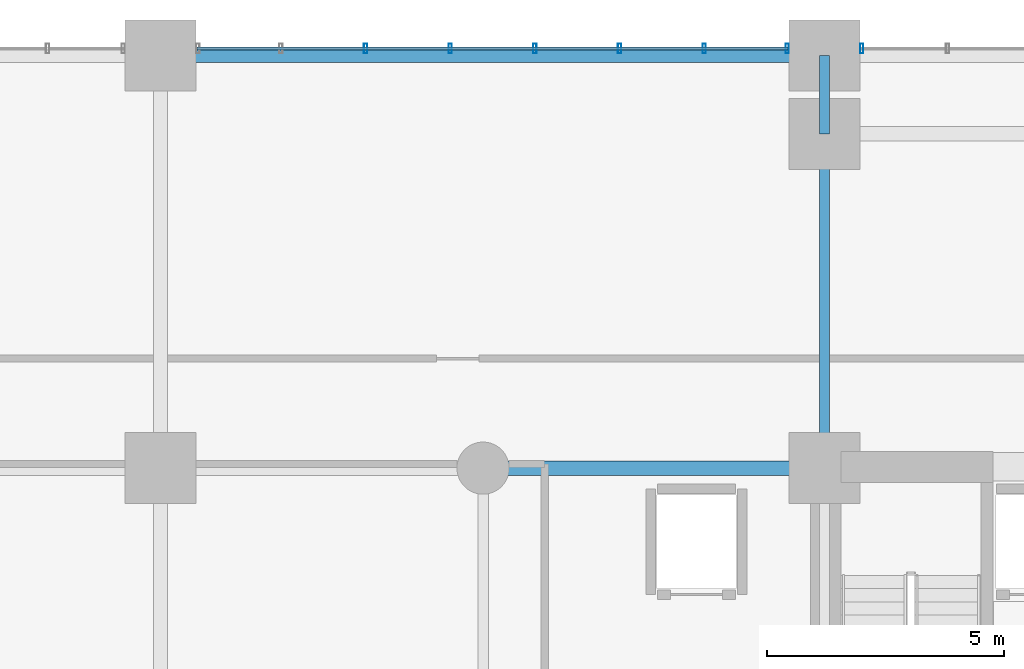
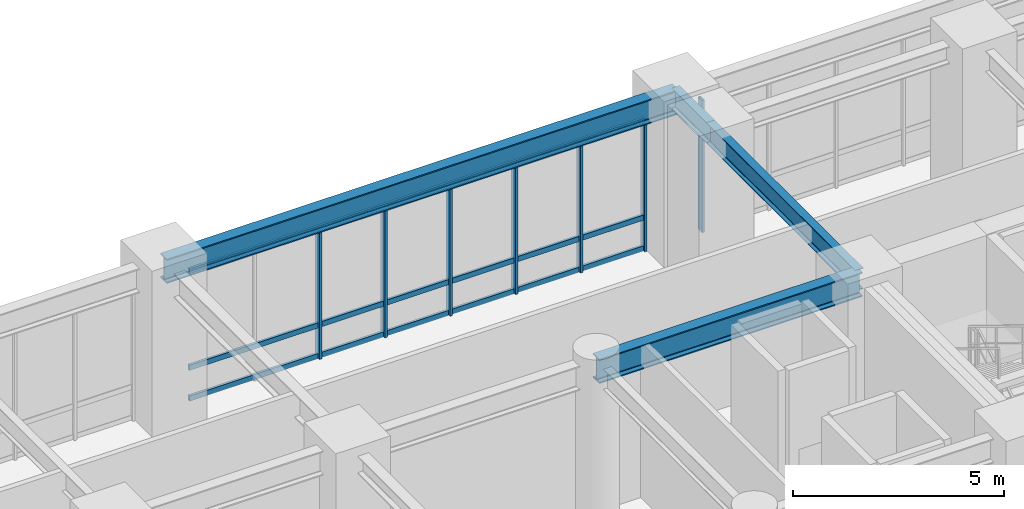
# One storey, part 3 of 22: 10 members, 4 beams, 2 elements without a shape of their own.
"""IFC4 building model written with IfcOpenShell, lengths in metres."""

from ifc_helpers import new_model, si_unit, direction, frame, origin, origin_2d, place, context, subcontext, project, spatial, hollow_rectangle, i_section, extrude, source, transform, mapped, material, layer, layer_set, material_profile, profile_set, type_object, element, aggregate, save


model = new_model("IFC4")

# Units and contexts
model_context = context("Model", 3, precision=1e-05, world=origin(), true_north=direction((0.0, 1.0)))
body_context = subcontext(model_context, "Body", "Model", "MODEL_VIEW")
ifc_project = project(units=[si_unit("LENGTHUNIT", "METRE"), si_unit("AREAUNIT", "SQUARE_METRE"), si_unit("VOLUMEUNIT", "CUBIC_METRE"), si_unit("PLANEANGLEUNIT", "RADIAN"), si_unit("MASSUNIT", "GRAM", prefix="KILO")], contexts=[model_context])

# Site, building, storey
site_placement = place(None, origin())
site = spatial("IfcSite", under=ifc_project, at=site_placement, CompositionType="ELEMENT")
building_placement = place(site_placement, origin())
building = spatial("IfcBuilding", under=site, at=building_placement, Name="Kaliganga Portal Commons", CompositionType="ELEMENT")
storey_placement = place(building_placement, frame((0.0, 0.0, 5.39990234375)))
storey = spatial("IfcBuildingStorey", under=building, at=storey_placement, Name="L01", CompositionType="ELEMENT", Elevation=5.39990234375)

# Beams
ifc_material_1 = material(Name="Structural steel S355J2", Category="steel")
ifc_material_profile_1 = material_profile(ifc_material_1, i_section(OverallWidth=0.300048828125, OverallDepth=0.699951171875, WebThickness=0.01708984375, FlangeThickness=0.031982421875, FilletRadius=0.027099609375, at=origin_2d()), Name="HE 700 B")
ifc_profile_set_1 = profile_set([ifc_material_profile_1], Name="Structural steel S355J2 wide-flange")
beam_type_1 = type_object("IfcBeamType", Name="BM-GIRD-700", PredefinedType="USERDEFINED", material=ifc_profile_set_1)
shared_shape_1 = source(origin(), body_context, "Body", "SweptSolid", [
    extrude(i_section(OverallWidth=0.300048828125, OverallDepth=0.699951171875, WebThickness=0.01708984375, FlangeThickness=0.031982421875, FilletRadius=0.027099609375, at=origin_2d()), origin(), (0.0, 0.0, 1.0), 7.199951171875),
])
beam_1_placement = place(storey_placement, frame((7.199951171875, 36.14990234375, 4.170166015625), z_axis=(1.0, 0.0, 0.0), x_axis=(0.0, 1.0, 0.0)))
element("IfcBeam", 1, at=beam_1_placement, inside=storey, type_object=beam_type_1, Name="BM G L01 WAH_N 2", ObjectType="GIRDER", PredefinedType="USERDEFINED", context=body_context, shape_type="MappedRepresentation", body=[
    mapped(shared_shape_1, transform((0.0, 0.0, 0.0), x_axis=(1.0, 0.0, 0.0), y_axis=(0.0, 1.0, 0.0), z_axis=(0.0, 0.0, 1.0), scale=1.0)),
])
ifc_material_profile_2 = material_profile(ifc_material_1, i_section(OverallWidth=0.219970703125, OverallDepth=0.60009765625, WebThickness=0.011962890625, FlangeThickness=0.01904296875, FilletRadius=0.02392578125, at=origin_2d()), Name="IPE 600")
ifc_profile_set_2 = profile_set([ifc_material_profile_2], Name="Structural steel S355J2 wide-flange")
beam_type_2 = type_object("IfcBeamType", Name="BM-FLR-600", PredefinedType="BEAM", material=ifc_profile_set_2)
shared_shape_2 = source(origin(), body_context, "Body", "SweptSolid", [
    extrude(i_section(OverallWidth=0.219970703125, OverallDepth=0.60009765625, WebThickness=0.011962890625, FlangeThickness=0.01904296875, FilletRadius=0.02392578125, at=origin_2d()), origin(), (0.0, 0.0, 1.0), 7.050048828125),
])
beam_2_placement = place(storey_placement, frame((14.39990234375, 36.14990234375, 4.22021484375), z_axis=(0.0, 1.0, 0.0), x_axis=(-1.0, 0.0, 0.0)))
element("IfcBeam", 2, at=beam_2_placement, inside=storey, type_object=beam_type_2, Name="BM G L01 AN144", PredefinedType="BEAM", context=body_context, shape_type="MappedRepresentation", body=[
    mapped(shared_shape_2, transform((0.0, 0.0, 0.0), x_axis=(1.0, 0.0, 0.0), y_axis=(0.0, 1.0, 0.0), z_axis=(0.0, 0.0, 1.0), scale=1.0)),
])
shared_shape_3 = source(origin(), body_context, "Body", "SweptSolid", [
    extrude(i_section(OverallWidth=0.300048828125, OverallDepth=0.699951171875, WebThickness=0.01708984375, FlangeThickness=0.031982421875, FilletRadius=0.027099609375, at=origin_2d()), origin(), (0.0, 0.0, 1.0), 14.0),
])
beam_3_placement = place(storey_placement, frame((0.39990234375, 44.85009765625, 4.170166015625), z_axis=(1.0, 0.0, 0.0), x_axis=(0.0, 1.0, 0.0)))
element("IfcBeam", 3, at=beam_3_placement, inside=storey, type_object=beam_type_1, Name="BM PODP L01 N44 1", ObjectType="GIRDER", PredefinedType="USERDEFINED", context=body_context, shape_type="MappedRepresentation", body=[
    mapped(shared_shape_3, transform((0.0, 0.0, 0.0), x_axis=(1.0, 0.0, 0.0), y_axis=(0.0, 1.0, 0.0), z_axis=(0.0, 0.0, 1.0), scale=1.0)),
])
shared_shape_4 = source(origin(), body_context, "Body", "SweptSolid", [
    extrude(i_section(OverallWidth=0.219970703125, OverallDepth=0.60009765625, WebThickness=0.011962890625, FlangeThickness=0.01904296875, FilletRadius=0.02392578125, at=origin_2d()), origin(), (0.0, 0.0, 1.0), 1.650146484375),
])
beam_4_placement = place(storey_placement, frame((14.39990234375, 43.199951171875, 4.22021484375), z_axis=(0.0, 1.0, 0.0), x_axis=(-1.0, 0.0, 0.0)))
element("IfcBeam", 4, at=beam_4_placement, inside=storey, type_object=beam_type_2, Name="BM PODP L01 NT14", PredefinedType="BEAM", context=body_context, shape_type="MappedRepresentation", body=[
    mapped(shared_shape_4, transform((0.0, 0.0, 0.0), x_axis=(1.0, 0.0, 0.0), y_axis=(0.0, 1.0, 0.0), z_axis=(0.0, 0.0, 1.0), scale=1.0)),
])

# Curtain wall, members
ifc_material_2 = material(Name="Anodized Aluminium and Laminated Low-E Glass", Category="aluminium")
ifc_layer = layer(ifc_material_2, 0.219970703125)
ifc_layer_set = layer_set([ifc_layer], Name="Anodized Aluminium and Laminated Low-E Glass")
curtain_wall_type = type_object("IfcCurtainWallType", Name="CW-SYS-01", PredefinedType="NOTDEFINED", material=ifc_layer_set)
curtain_wall_1_placement = place(storey_placement, origin())
curtain_wall_1 = element("IfcCurtainWall", 5, at=curtain_wall_1_placement, inside=storey, type_object=curtain_wall_type, Name="CW 01 L01 P1E02S7", PredefinedType="NOTDEFINED")
ifc_material_3 = material(Name="Dark Bronze Anodized Aluminium", Category="aluminium")
ifc_material_profile_3 = material_profile(ifc_material_3, hollow_rectangle(XDim=0.070068359375, YDim=0.14990234375, WallThickness=0.00341796875, at=origin_2d()), Name="ALU TRAN 70x150x3.5")
ifc_profile_set_3 = profile_set([ifc_material_profile_3], Name="Dark Bronze Anodized Aluminium")
member_type_1 = type_object("IfcMemberType", Name="CW-TRN-150", PredefinedType="USERDEFINED", material=ifc_profile_set_3)
shared_shape_5 = source(origin(), body_context, "Body", "SweptSolid", [
    extrude(hollow_rectangle(XDim=0.070068359375, YDim=0.14990234375, WallThickness=0.00341796875, at=origin_2d()), origin(), (0.0, 0.0, 1.0), 12.4580078125),
])
member_1_placement = place(storey_placement, frame((13.62890625, 45.0, 0.06005859375), z_axis=(-1.0, 0.0, 0.0), x_axis=(0.0, -1.0, 0.0)))
member_1 = element("IfcMember", 6, at=member_1_placement, type_object=member_type_1, Name="CW:01:L01:P1E02S7 Transom 1", ObjectType="TRANSOM", PredefinedType="USERDEFINED", context=body_context, shape_type="MappedRepresentation", body=[
    mapped(shared_shape_5, transform((0.0, 0.0, 0.0), x_axis=(1.0, 0.0, 0.0), y_axis=(0.0, 1.0, 0.0), z_axis=(0.0, 0.0, 1.0), scale=1.0)),
])
member_2_placement = place(storey_placement, frame((13.62890625, 45.0, 0.9501953125), z_axis=(-1.0, 0.0, 0.0), x_axis=(0.0, -1.0, 0.0)))
member_2 = element("IfcMember", 7, at=member_2_placement, type_object=member_type_1, Name="CW:01:L01:P1E02S7 Transom 2", ObjectType="TRANSOM", PredefinedType="USERDEFINED", context=body_context, shape_type="MappedRepresentation", body=[
    mapped(shared_shape_5, transform((0.0, 0.0, 0.0), x_axis=(1.0, 0.0, 0.0), y_axis=(0.0, 1.0, 0.0), z_axis=(0.0, 0.0, 1.0), scale=1.0)),
])
member_3_placement = place(storey_placement, frame((13.62890625, 45.0, 3.739990234375), z_axis=(-1.0, 0.0, 0.0), x_axis=(0.0, -1.0, 0.0)))
member_3 = element("IfcMember", 8, at=member_3_placement, type_object=member_type_1, Name="CW:01:L01:P1E02S7 Transom 3", ObjectType="TRANSOM", PredefinedType="USERDEFINED", context=body_context, shape_type="MappedRepresentation", body=[
    mapped(shared_shape_5, transform((0.0, 0.0, 0.0), x_axis=(1.0, 0.0, 0.0), y_axis=(0.0, 1.0, 0.0), z_axis=(0.0, 0.0, 1.0), scale=1.0)),
])

# Curtain wall, member
curtain_wall_2_placement = place(storey_placement, origin())
curtain_wall_2 = element("IfcCurtainWall", 9, at=curtain_wall_2_placement, inside=storey, type_object=curtain_wall_type, Name="CW 01 L01 P1E02S6", PredefinedType="NOTDEFINED")
ifc_material_profile_4 = material_profile(ifc_material_3, hollow_rectangle(XDim=0.070068359375, YDim=0.199951171875, WallThickness=0.00390625, at=origin_2d()), Name="ALU MULL 70x200x4")
ifc_profile_set_4 = profile_set([ifc_material_profile_4], Name="Dark Bronze Anodized Aluminium")
member_type_2 = type_object("IfcMemberType", Name="CW-MUL-220", PredefinedType="MULLION", material=ifc_profile_set_4)
shared_shape_6 = source(origin(), body_context, "Body", "SweptSolid", [
    extrude(hollow_rectangle(XDim=0.070068359375, YDim=0.199951171875, WallThickness=0.00390625, at=origin_2d()), origin(), (0.0, 0.0, 1.0), 3.820068359375),
])
member_4_placement = place(storey_placement, frame((15.18603515625, 45.0, 0.0), z_axis=(0.0, 0.0, 1.0), x_axis=(-1.0, 0.0, 0.0)))
member_4 = element("IfcMember", 10, at=member_4_placement, type_object=member_type_2, Name="CW:01:L01:P1E02S6 Mullion 07", PredefinedType="MULLION", context=body_context, shape_type="MappedRepresentation", body=[
    mapped(shared_shape_6, transform((0.0, 0.0, 0.0), x_axis=(1.0, 0.0, 0.0), y_axis=(0.0, 1.0, 0.0), z_axis=(0.0, 0.0, 1.0), scale=1.0)),
])
aggregate(curtain_wall_2, [member_4])

# Member
member_5_placement = place(storey_placement, frame((13.614013671875, 45.0, 0.0), z_axis=(0.0, 0.0, 1.0), x_axis=(-1.0, 0.0, 0.0)))
member_5 = element("IfcMember", 11, at=member_5_placement, type_object=member_type_2, Name="CW:01:L01:P1E02S7 Mullion 00", PredefinedType="MULLION", context=body_context, shape_type="MappedRepresentation", body=[
    mapped(shared_shape_6, transform((0.0, 0.0, 0.0), x_axis=(1.0, 0.0, 0.0), y_axis=(0.0, 1.0, 0.0), z_axis=(0.0, 0.0, 1.0), scale=1.0)),
])

member_6_placement = place(storey_placement, frame((11.863525390625, 45.0, 0.0), z_axis=(0.0, 0.0, 1.0), x_axis=(-1.0, 0.0, 0.0)))
member_6 = element("IfcMember", 12, at=member_6_placement, type_object=member_type_2, Name="CW:01:L01:P1E02S7 Mullion 01", PredefinedType="MULLION", context=body_context, shape_type="MappedRepresentation", body=[
    mapped(shared_shape_6, transform((0.0, 0.0, 0.0), x_axis=(1.0, 0.0, 0.0), y_axis=(0.0, 1.0, 0.0), z_axis=(0.0, 0.0, 1.0), scale=1.0)),
])

member_7_placement = place(storey_placement, frame((10.078125, 45.0, 0.0), z_axis=(0.0, 0.0, 1.0), x_axis=(-1.0, 0.0, 0.0)))
member_7 = element("IfcMember", 13, at=member_7_placement, type_object=member_type_2, Name="CW:01:L01:P1E02S7 Mullion 02", PredefinedType="MULLION", context=body_context, shape_type="MappedRepresentation", body=[
    mapped(shared_shape_6, transform((0.0, 0.0, 0.0), x_axis=(1.0, 0.0, 0.0), y_axis=(0.0, 1.0, 0.0), z_axis=(0.0, 0.0, 1.0), scale=1.0)),
])

member_8_placement = place(storey_placement, frame((8.292724609375, 45.0, 0.0), z_axis=(0.0, 0.0, 1.0), x_axis=(-1.0, 0.0, 0.0)))
member_8 = element("IfcMember", 14, at=member_8_placement, type_object=member_type_2, Name="CW:01:L01:P1E02S7 Mullion 03", PredefinedType="MULLION", context=body_context, shape_type="MappedRepresentation", body=[
    mapped(shared_shape_6, transform((0.0, 0.0, 0.0), x_axis=(1.0, 0.0, 0.0), y_axis=(0.0, 1.0, 0.0), z_axis=(0.0, 0.0, 1.0), scale=1.0)),
])

member_9_placement = place(storey_placement, frame((6.50732421875, 45.0, 0.0), z_axis=(0.0, 0.0, 1.0), x_axis=(-1.0, 0.0, 0.0)))
member_9 = element("IfcMember", 15, at=member_9_placement, type_object=member_type_2, Name="CW:01:L01:P1E02S7 Mullion 04", PredefinedType="MULLION", context=body_context, shape_type="MappedRepresentation", body=[
    mapped(shared_shape_6, transform((0.0, 0.0, 0.0), x_axis=(1.0, 0.0, 0.0), y_axis=(0.0, 1.0, 0.0), z_axis=(0.0, 0.0, 1.0), scale=1.0)),
])

member_10_placement = place(storey_placement, frame((4.721923828125, 45.0, 0.0), z_axis=(0.0, 0.0, 1.0), x_axis=(-1.0, 0.0, 0.0)))
member_10 = element("IfcMember", 16, at=member_10_placement, type_object=member_type_2, Name="CW:01:L01:P1E02S7 Mullion 05", PredefinedType="MULLION", context=body_context, shape_type="MappedRepresentation", body=[
    mapped(shared_shape_6, transform((0.0, 0.0, 0.0), x_axis=(1.0, 0.0, 0.0), y_axis=(0.0, 1.0, 0.0), z_axis=(0.0, 0.0, 1.0), scale=1.0)),
])

aggregate(curtain_wall_1, [member_5, member_6, member_7, member_8, member_9, member_10, member_1, member_2, member_3])

save(model, "model.ifc")
